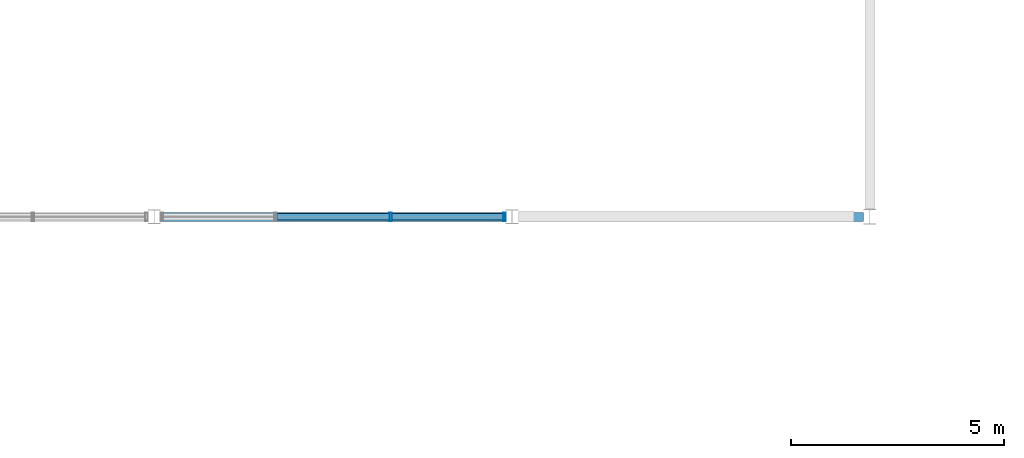
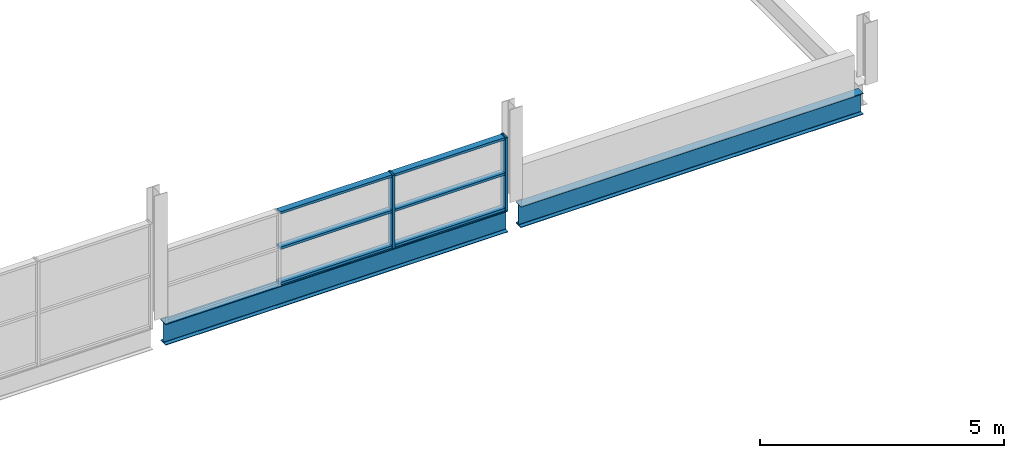
# One storey, part 8 of 43: 8 members, 2 beams, 1 element without a shape of its own.
"""IFC4 building model written with IfcOpenShell, lengths in metres."""

from ifc_helpers import new_model, si_unit, direction, frame, origin, origin_2d, place, context, subcontext, project, spatial, hollow_rectangle, i_section, extrude, material, material_profile, profile_set, type_object, element, aggregate, save


model = new_model("IFC4")

# Units and contexts
model_context = context("Model", 3, precision=1e-05, world=origin(), true_north=direction((0.0, 1.0)))
body_context = subcontext(model_context, "Body", "Model", "MODEL_VIEW")
ifc_project = project(units=[si_unit("LENGTHUNIT", "METRE"), si_unit("AREAUNIT", "SQUARE_METRE"), si_unit("VOLUMEUNIT", "CUBIC_METRE"), si_unit("PLANEANGLEUNIT", "RADIAN"), si_unit("MASSUNIT", "GRAM", prefix="KILO"), si_unit("THERMODYNAMICTEMPERATUREUNIT", "KELVIN")], contexts=[model_context])

# Site, building, storey
site_placement = place(None, origin())
site = spatial("IfcSite", under=ifc_project, at=site_placement, CompositionType="ELEMENT")
building_placement = place(site_placement, origin())
building = spatial("IfcBuilding", under=site, at=building_placement, Name="Nduvali Passage Aquatics Centre", CompositionType="ELEMENT")
storey_placement = place(building_placement, frame((0.0, 0.0, 17.39990234375)))
storey = spatial("IfcBuildingStorey", under=building, at=storey_placement, Name="L04", CompositionType="ELEMENT", Elevation=17.39990234375)

# Curtain wall, members
ifc_material_1 = material(Name="Aluminium EN AW-6063 T6", Category="aluminium")
curtain_wall_type = type_object("IfcCurtainWallType", Name="ENV-CW-DIVE", PredefinedType="NOTDEFINED", material=ifc_material_1)
curtain_wall_placement = place(storey_placement, origin())
curtain_wall = element("IfcCurtainWall", 1, at=curtain_wall_placement, inside=storey, type_object=curtain_wall_type, Name="L04 Diving Upper Mid Clerestory CW 154", PredefinedType="NOTDEFINED")
ifc_material_profile_1 = material_profile(ifc_material_1, hollow_rectangle(XDim=0.06005859375, YDim=0.199951171875, WallThickness=0.00390625, at=origin_2d()), Name="ALU MULLION 60x200x4")
ifc_profile_set_1 = profile_set([ifc_material_profile_1], Name="Aluminium EN AW-6063 T6")
member_type_1 = type_object("IfcMemberType", Name="ENV-MEM-MUL80", PredefinedType="MULLION", material=ifc_profile_set_1)
member_1_placement = place(storey_placement, frame((13.949951171875, 33.60009765625, -0.22998046875), z_axis=(0.0, 0.0, 1.0), x_axis=(1.0, 0.0, 0.0)))
member_1 = element("IfcMember", 2, at=member_1_placement, type_object=member_type_1, Name="Diving Upper Mid Clerestory CW Mullion 3", PredefinedType="MULLION", context=body_context, shape_type="SweptSolid", body=[
    extrude(hollow_rectangle(XDim=0.06005859375, YDim=0.199951171875, WallThickness=0.00390625, at=origin_2d()), origin(), (0.0, 0.0, 1.0), 1.830078125),
])
member_2_placement = place(storey_placement, frame((16.6201171875, 33.60009765625, -0.22998046875), z_axis=(0.0, 0.0, 1.0), x_axis=(1.0, 0.0, 0.0)))
member_2 = element("IfcMember", 3, at=member_2_placement, type_object=member_type_1, Name="Diving Upper Mid Clerestory CW Mullion 4", PredefinedType="MULLION", context=body_context, shape_type="SweptSolid", body=[
    extrude(hollow_rectangle(XDim=0.06005859375, YDim=0.199951171875, WallThickness=0.00390625, at=origin_2d()), origin(), (0.0, 0.0, 1.0), 1.830078125),
])
ifc_material_profile_2 = material_profile(ifc_material_1, hollow_rectangle(XDim=0.14990234375, YDim=0.06005859375, WallThickness=0.00390625, at=origin_2d()), Name="ALU TRANSOM 150x60x4")
ifc_profile_set_2 = profile_set([ifc_material_profile_2], Name="Aluminium EN AW-6063 T6")
member_type_2 = type_object("IfcMemberType", Name="ENV-MEM-TRN80", PredefinedType="USERDEFINED", material=ifc_profile_set_2)
member_3_placement = place(storey_placement, frame((11.280029296875, 33.60009765625, -0.199951171875), z_axis=(1.0, 0.0, 0.0), x_axis=(0.0, 1.0, 0.0)))
member_3 = element("IfcMember", 4, at=member_3_placement, type_object=member_type_2, Name="Diving Upper Mid Clerestory CW Transom B2-R0", ObjectType="TRANSOM", PredefinedType="USERDEFINED", context=body_context, shape_type="SweptSolid", body=[
    extrude(hollow_rectangle(XDim=0.14990234375, YDim=0.06005859375, WallThickness=0.00390625, at=origin_2d()), origin(), (0.0, 0.0, 1.0), 2.639892578125),
])
member_4_placement = place(storey_placement, frame((11.280029296875, 33.60009765625, 0.68505859375), z_axis=(1.0, 0.0, 0.0), x_axis=(0.0, 1.0, 0.0)))
member_4 = element("IfcMember", 5, at=member_4_placement, type_object=member_type_2, Name="Diving Upper Mid Clerestory CW Transom B2-R1", ObjectType="TRANSOM", PredefinedType="USERDEFINED", context=body_context, shape_type="SweptSolid", body=[
    extrude(hollow_rectangle(XDim=0.14990234375, YDim=0.06005859375, WallThickness=0.00390625, at=origin_2d()), origin(), (0.0, 0.0, 1.0), 2.639892578125),
])
member_5_placement = place(storey_placement, frame((11.280029296875, 33.60009765625, 1.570068359375), z_axis=(1.0, 0.0, 0.0), x_axis=(0.0, 1.0, 0.0)))
member_5 = element("IfcMember", 6, at=member_5_placement, type_object=member_type_2, Name="Diving Upper Mid Clerestory CW Transom B2-R2", ObjectType="TRANSOM", PredefinedType="USERDEFINED", context=body_context, shape_type="SweptSolid", body=[
    extrude(hollow_rectangle(XDim=0.14990234375, YDim=0.06005859375, WallThickness=0.00390625, at=origin_2d()), origin(), (0.0, 0.0, 1.0), 2.639892578125),
])
member_6_placement = place(storey_placement, frame((13.97998046875, 33.60009765625, -0.199951171875), z_axis=(1.0, 0.0, 0.0), x_axis=(0.0, 1.0, 0.0)))
member_6 = element("IfcMember", 7, at=member_6_placement, type_object=member_type_2, Name="Diving Upper Mid Clerestory CW Transom B3-R0", ObjectType="TRANSOM", PredefinedType="USERDEFINED", context=body_context, shape_type="SweptSolid", body=[
    extrude(hollow_rectangle(XDim=0.14990234375, YDim=0.06005859375, WallThickness=0.00390625, at=origin_2d()), origin(), (0.0, 0.0, 1.0), 2.610107421875),
])
member_7_placement = place(storey_placement, frame((13.97998046875, 33.60009765625, 0.68505859375), z_axis=(1.0, 0.0, 0.0), x_axis=(0.0, 1.0, 0.0)))
member_7 = element("IfcMember", 8, at=member_7_placement, type_object=member_type_2, Name="Diving Upper Mid Clerestory CW Transom B3-R1", ObjectType="TRANSOM", PredefinedType="USERDEFINED", context=body_context, shape_type="SweptSolid", body=[
    extrude(hollow_rectangle(XDim=0.14990234375, YDim=0.06005859375, WallThickness=0.00390625, at=origin_2d()), origin(), (0.0, 0.0, 1.0), 2.610107421875),
])
member_8_placement = place(storey_placement, frame((13.97998046875, 33.60009765625, 1.570068359375), z_axis=(1.0, 0.0, 0.0), x_axis=(0.0, 1.0, 0.0)))
member_8 = element("IfcMember", 9, at=member_8_placement, type_object=member_type_2, Name="Diving Upper Mid Clerestory CW Transom B3-R2", ObjectType="TRANSOM", PredefinedType="USERDEFINED", context=body_context, shape_type="SweptSolid", body=[
    extrude(hollow_rectangle(XDim=0.14990234375, YDim=0.06005859375, WallThickness=0.00390625, at=origin_2d()), origin(), (0.0, 0.0, 1.0), 2.610107421875),
])
aggregate(curtain_wall, [member_1, member_2, member_3, member_4, member_5, member_6, member_7, member_8])

# Beams
ifc_material_2 = material(Name="Steel S355", Category="steel")
ifc_material_profile_3 = material_profile(ifc_material_2, i_section(OverallWidth=0.209228515625, OverallDepth=0.533203125, WebThickness=0.010009765625, FlangeThickness=0.015625, FilletRadius=0.0126953125, at=origin_2d()), Name="UKB 533x210x92")
ifc_profile_set_3 = profile_set([ifc_material_profile_3], Name="Steel S355")
beam_type = type_object("IfcBeamType", Name="STR-BM-UKB533L", PredefinedType="BEAM", material=ifc_profile_set_3)
beam_1_placement = place(storey_placement, frame((8.550048828125, 33.60009765625, -0.50048828125), z_axis=(1.0, 0.0, 0.0), x_axis=(0.0, 1.0, 0.0)))
element("IfcBeam", 10, at=beam_1_placement, inside=storey, type_object=beam_type, Name="L04 Primary X-Girder B6A-1322", PredefinedType="BEAM", context=body_context, shape_type="SweptSolid", body=[
    extrude(i_section(OverallWidth=0.209228515625, OverallDepth=0.533203125, WebThickness=0.010009765625, FlangeThickness=0.015625, FilletRadius=0.0126953125, at=origin_2d()), origin(), (0.0, 0.0, 1.0), 8.099853515625),
])
beam_2_placement = place(storey_placement, frame((16.949951171875, 33.60009765625, -0.50048828125), z_axis=(1.0, 0.0, 0.0), x_axis=(0.0, 1.0, 0.0)))
element("IfcBeam", 11, at=beam_2_placement, inside=storey, type_object=beam_type, Name="L04 Primary X-Girder B6A-1323", PredefinedType="BEAM", context=body_context, shape_type="SweptSolid", body=[
    extrude(i_section(OverallWidth=0.209228515625, OverallDepth=0.533203125, WebThickness=0.010009765625, FlangeThickness=0.015625, FilletRadius=0.0126953125, at=origin_2d()), origin(), (0.0, 0.0, 1.0), 8.10009765625),
])

save(model, "model.ifc")
